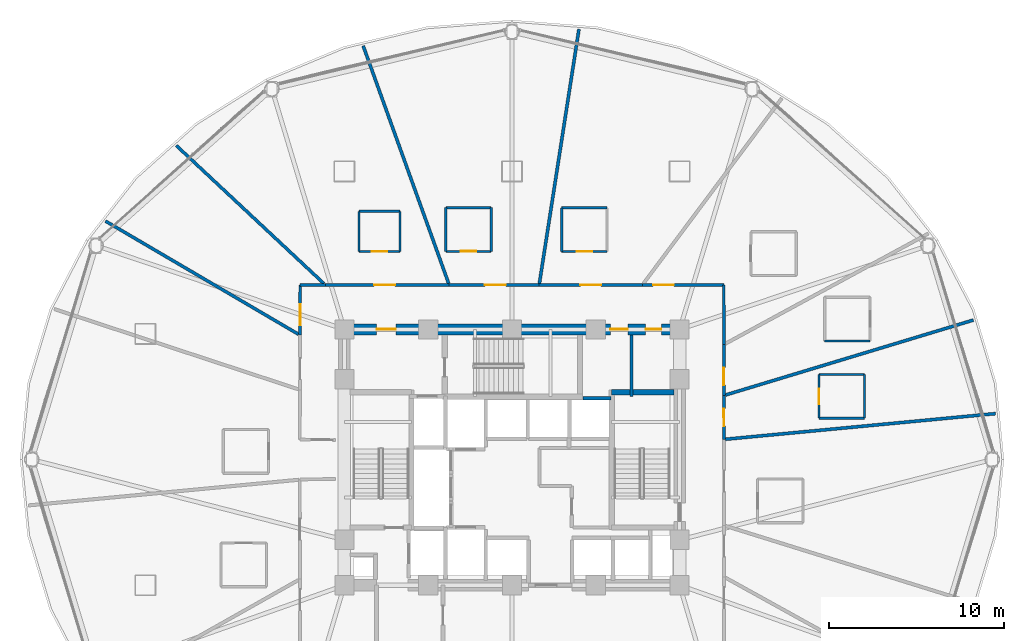
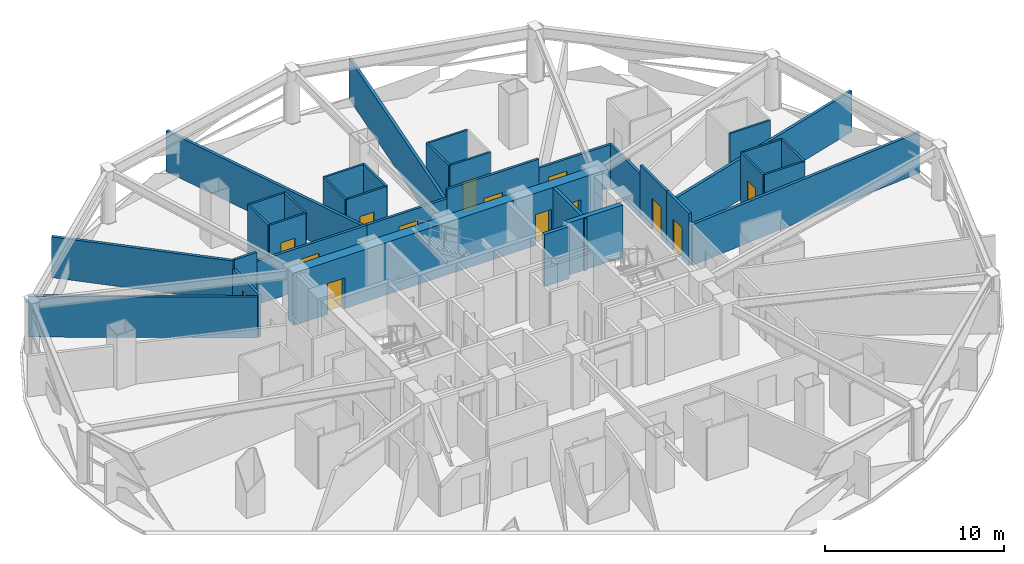
# One storey, part 24 of 30: 35 walls, 14 doors, 14 openings.
"""IFC4 building model written with IfcOpenShell, lengths in metres."""

import ifcopenshell
import ifcopenshell.guid

model = None  # the IFC model being written
_history = None  # IfcOwnerHistory: only IFC2X3 demands one
_inside = {}  # id of a spatial element -> (the spatial element, [elements in it])
_under = {}  # id of a project, library or spatial element -> (it, [spatial elements below it])
_declared = {}  # id of a project -> (the project, [libraries it declares])
_typed = {}  # id of a type object -> (the type object, [elements of that type])
_made_of = {}  # id of a material, layer set ... -> (it, [elements and type objects made of it])


def new_model(schema):
    """Start an empty IFC model of exactly this schema.

    Asked for "IFC4X3", IfcOpenShell would pick the latest addendum, in which some entities
    have other attributes; the version numbers below select the first issue.
    IFC2X3 requires an IfcOwnerHistory on every rooted entity: one is made here for all.
    """
    global model, _history
    if schema == "IFC4X3":
        model = ifcopenshell.file(schema_version=(4, 3, 0, 0))
    else:
        model = ifcopenshell.file(schema=schema)
    _inside.clear()
    _under.clear()
    _declared.clear()
    _typed.clear()
    _made_of.clear()
    _history = None
    if model.schema == "IFC2X3":
        org = make("IfcOrganization", Name="unknown")
        user = make(
            "IfcPersonAndOrganization",
            ThePerson=make("IfcPerson", FamilyName="unknown"),
            TheOrganization=org,
        )
        app = make(
            "IfcApplication",
            ApplicationDeveloper=org,
            Version="unknown",
            ApplicationFullName="unknown",
            ApplicationIdentifier="unknown",
        )
        _history = make(
            "IfcOwnerHistory",
            OwningUser=user,
            OwningApplication=app,
            ChangeAction="ADDED",
            CreationDate=0,
        )
    return model


def make(cls, **values):
    """One entity of the class cls with the attributes given. An attribute that is None is left unset."""
    return model.create_entity(
        cls, **{name: value for name, value in values.items() if value is not None}
    )


def rooted(cls, **values):
    """An entity with a GlobalId (a new one), such as an element, a storey or a relation."""
    return make(cls, GlobalId=ifcopenshell.guid.new(), OwnerHistory=_history, **values)


def si_unit(unit_type, name, prefix=None):
    """IfcSIUnit, for example si_unit("LENGTHUNIT", "METRE", prefix="MILLI")."""
    return make("IfcSIUnit", UnitType=unit_type, Prefix=prefix, Name=name)


def assignment(units):
    """IfcUnitAssignment: the units of a project."""
    return None if units is None else make("IfcUnitAssignment", Units=units)


def point(xyz):
    """IfcCartesianPoint."""
    return None if xyz is None else make("IfcCartesianPoint", Coordinates=xyz)


def direction(xyz):
    """IfcDirection."""
    return None if xyz is None else make("IfcDirection", DirectionRatios=xyz)


def frame(location, z_axis=None, x_axis=None):
    """IfcAxis2Placement3D, a coordinate frame: its origin and axes. An axis left out is left unset."""
    return make(
        "IfcAxis2Placement3D",
        Location=point(location),
        Axis=direction(z_axis),
        RefDirection=direction(x_axis),
    )


def frame_2d(location, x_axis=None):
    """IfcAxis2Placement2D, a coordinate frame in the plane: its origin and x axis."""
    return make(
        "IfcAxis2Placement2D", Location=point(location), RefDirection=direction(x_axis)
    )


def origin():
    """The frame at (0, 0, 0) with its axes left unset."""
    return frame((0.0, 0.0, 0.0))


def place(relative_to, where):
    """IfcLocalPlacement: puts the frame where relative to a parent placement (None: the world)."""
    return make(
        "IfcLocalPlacement", PlacementRelTo=relative_to, RelativePlacement=where
    )


def context(
    kind, dimensions, precision=None, world=None, true_north=None, identifier=None
):
    """IfcGeometricRepresentationContext, for example the 3D "Model" context."""
    return make(
        "IfcGeometricRepresentationContext",
        ContextIdentifier=identifier,
        ContextType=kind,
        CoordinateSpaceDimension=dimensions,
        Precision=precision,
        WorldCoordinateSystem=world,
        TrueNorth=true_north,
    )


def subcontext(parent, identifier, kind, view, scale=None):
    """IfcGeometricRepresentationSubContext, for example "Body" below "Model"."""
    return make(
        "IfcGeometricRepresentationSubContext",
        ContextIdentifier=identifier,
        ContextType=kind,
        ParentContext=parent,
        TargetScale=scale,
        TargetView=view,
    )


def project(units=None, contexts=None):
    """IfcProject with its units and contexts."""
    return rooted(
        "IfcProject",
        Name="project",
        RepresentationContexts=contexts,
        UnitsInContext=assignment(units),
    )


def spatial(cls, under=None, at=None, **own):
    """A site, building, storey or space (cls), placed at a placement, below another one or the project."""
    s = rooted(cls, ObjectPlacement=at, **own)
    if under is not None:
        _under.setdefault(under.id(), (under, []))[1].append(s)
    return s


def profile(cls, at=None, kind="AREA", **sizes):
    """A parametric profile (cls). Its sizes go by their IFC names, for example OverallWidth=200.0."""
    return make(cls, ProfileType=kind, Position=at, **sizes)


def rectangle(**sizes):
    """IfcRectangleProfileDef."""
    return profile("IfcRectangleProfileDef", **sizes)


def extrude(swept, where, along, depth):
    """IfcExtrudedAreaSolid: the profile swept, set in the frame where, extruded along a direction by depth."""
    return make(
        "IfcExtrudedAreaSolid",
        SweptArea=swept,
        Position=where,
        ExtrudedDirection=direction(along),
        Depth=depth,
    )


def shape(context_of_items, identifier, shape_type, items):
    """IfcShapeRepresentation: the items that make up one representation, for example the "Body"."""
    return make(
        "IfcShapeRepresentation",
        ContextOfItems=context_of_items,
        RepresentationIdentifier=identifier,
        RepresentationType=shape_type,
        Items=items,
    )


def material(Name=None, Category=None):
    """IfcMaterial."""
    return make("IfcMaterial", Name=Name, Category=Category)


def layer(
    of_material, thickness, ventilated=None, Name=None, Category=None, Priority=None
):
    """IfcMaterialLayer: one layer of a wall or slab, of a material (None: an air gap)."""
    return make(
        "IfcMaterialLayer",
        Material=of_material,
        LayerThickness=thickness,
        IsVentilated=ventilated,
        Name=Name,
        Category=Category,
        Priority=Priority,
    )


def layer_set(layers, Name=None):
    """IfcMaterialLayerSet."""
    return make("IfcMaterialLayerSet", MaterialLayers=layers, LayerSetName=Name)


def made_of(thing, what):
    """Note that an element or type object is made of a material, layer set ...; save() writes the relation."""
    if what is not None:
        _made_of.setdefault(what.id(), (what, []))[1].append(thing)
    return thing


def type_object(cls, material=None, **own):
    """A type object (cls), such as IfcWallType, which elements share."""
    return made_of(rooted(cls, **own), material)


def element(
    cls,
    number,
    at=None,
    inside=None,
    cuts=None,
    type_object=None,
    material=None,
    context=None,
    identifier="Body",
    shape_type=None,
    held_by="IfcProductDefinitionShape",
    body=None,
    shapes=None,
    **own,
):
    """One element of the class cls, such as IfcWall. Its Tag is "e" and its number.

    at: its placement. inside: the storey or other place that contains it. cuts: it is an
    opening in that element (IfcRelVoidsElement). A single representation is given by context,
    identifier, shape_type and body (its items); several are given by shapes. held_by: the class
    of the entity that holds the representations. save() writes the other relations.
    """
    e = rooted(cls, Tag="e%d" % number, ObjectPlacement=at, **own)
    if body is not None:
        shapes = [shape(context, identifier, shape_type, body)]
    if shapes is not None:
        e.Representation = make(held_by, Representations=shapes)
    if inside is not None:
        _inside.setdefault(inside.id(), (inside, []))[1].append(e)
    if cuts is not None:
        rooted(
            "IfcRelVoidsElement", RelatingBuildingElement=cuts, RelatedOpeningElement=e
        )
    if type_object is not None:
        _typed.setdefault(type_object.id(), (type_object, []))[1].append(e)
    return made_of(e, material)


def fill(opening, filler):
    """IfcRelFillsElement: the door or window that sits in an opening."""
    return rooted(
        "IfcRelFillsElement",
        RelatingOpeningElement=opening,
        RelatedBuildingElement=filler,
    )


def aggregate(whole, parts):
    """IfcRelAggregates: a whole, such as a stair, and the parts it consists of."""
    return rooted("IfcRelAggregates", RelatingObject=whole, RelatedObjects=parts)


def save(model, path):
    """Write the relations noted so far, then the file.

    IfcRelAggregates (storeys below a building ...), IfcRelContainedInSpatialStructure (elements
    in a storey), IfcRelDefinesByType, IfcRelAssociatesMaterial and IfcRelDeclares: one each for
    every whole, place, type object, material and project.
    """
    for whole, parts in _under.values():
        aggregate(whole, parts)
    for where, things in _inside.values():
        rooted(
            "IfcRelContainedInSpatialStructure",
            RelatedElements=things,
            RelatingStructure=where,
        )
    for kind, things in _typed.values():
        rooted("IfcRelDefinesByType", RelatedObjects=things, RelatingType=kind)
    for what, things in _made_of.values():
        rooted("IfcRelAssociatesMaterial", RelatedObjects=things, RelatingMaterial=what)
    for by, libraries in _declared.values():
        rooted("IfcRelDeclares", RelatingContext=by, RelatedDefinitions=libraries)
    model.write(path)


model = new_model("IFC4")

# Units and contexts
model_context = context("Model", 3, precision=1e-05, world=origin(), true_north=direction((0.0, 1.0)))
body_context = subcontext(model_context, "Body", "Model", "MODEL_VIEW")
ifc_project = project(units=[si_unit("LENGTHUNIT", "METRE"), si_unit("AREAUNIT", "SQUARE_METRE"), si_unit("VOLUMEUNIT", "CUBIC_METRE"), si_unit("PLANEANGLEUNIT", "RADIAN"), si_unit("MASSUNIT", "GRAM", prefix="KILO")], contexts=[model_context])

# Site, building, storey
site_placement = place(None, origin())
site = spatial("IfcSite", under=ifc_project, at=site_placement, CompositionType="ELEMENT")
building_placement = place(site_placement, origin())
building = spatial("IfcBuilding", under=site, at=building_placement, Name="Vantalir Tower", CompositionType="ELEMENT")
storey_placement = place(building_placement, frame((0.0, 0.0, 83.25)))
storey = spatial("IfcBuildingStorey", under=building, at=storey_placement, Name="L20", CompositionType="ELEMENT", Elevation=83.25)

# Walls
ifc_material_1 = material(Name="Moisture-resistant en-suite partition", Category="gypsum")
ifc_layer_1 = layer(ifc_material_1, 0.125)
ifc_layer_set_1 = layer_set([ifc_layer_1], Name="Moisture-resistant en-suite partition")
wall_type_1 = type_object("IfcWallType", Name="WL-BATH-125", PredefinedType="PARTITIONING", material=ifc_layer_set_1)
for number, where, z_axis, x_axis, name in (
    (1, (49.077880859375, 27.366943359375, 0.0), (0.0, 0.0, 1.0), (1.0, 0.0, 0.0), "L20 En-suite 01 South Wall"),
    (2, (49.077880859375, 29.866943359375, 0.0), (0.0, 0.0, 1.0), (1.0, 0.0, 0.0), "L20 En-suite 01 North Wall"),
):
    element("IfcWall", number, at=place(storey_placement, frame(where, z_axis=z_axis, x_axis=x_axis)), inside=storey, type_object=wall_type_1, Name=name, PredefinedType="PARTITIONING", context=body_context, shape_type="SweptSolid", body=[
        extrude(rectangle(XDim=2.60009765625, YDim=0.125, at=frame_2d((1.300048828125, 0.0))), origin(), (0.0, 0.0, 1.0), 3.550048828125),
    ])

# Wall, opening, door
wall_1_placement = place(storey_placement, frame((49.077880859375, 27.366943359375, 0.0), z_axis=(0.0, 0.0, 1.0), x_axis=(0.0, 1.0, 0.0)))
wall_1 = element("IfcWall", 3, at=wall_1_placement, inside=storey, type_object=wall_type_1, Name="L20 En-suite 01 West Wall", PredefinedType="PARTITIONING", context=body_context, shape_type="SweptSolid", body=[
    extrude(rectangle(XDim=2.5, YDim=0.125, at=frame_2d((1.25, 0.0))), origin(), (0.0, 0.0, 1.0), 3.550048828125),
])
opening_1_placement = place(wall_1_placement, frame((0.800048828125, 0.0, 0.0)))
opening_1 = element("IfcOpeningElement", 4, at=opening_1_placement, cuts=wall_1, Name="Opening D-WC", PredefinedType="OPENING", context=body_context, shape_type="SweptSolid", body=[
    extrude(rectangle(XDim=0.89990234375, YDim=2.10009765625, at=frame_2d((0.449951171875, 1.050048828125))), frame((0.0, 0.072509765625, 0.0), z_axis=(0.0, -1.0, 0.0), x_axis=(1.0, 0.0, 0.0)), (0.0, 0.0, 1.0), 0.14501953125),
])
ifc_material_2 = material(Name="Moisture-resistant hardwood door", Category="wood")
door_type_1 = type_object("IfcDoorType", Name="DR-ENSUITE-900", OperationType="NOTDEFINED", PredefinedType="DOOR", material=ifc_material_2)
door_1_placement = place(opening_1_placement, frame((0.89990234375, 0.0, 0.0), z_axis=(0.0, 0.0, 1.0), x_axis=(-1.0, 0.0, 0.0)))
door_1 = element("IfcDoor", 5, at=door_1_placement, inside=storey, type_object=door_type_1, Name="L20 En-suite 01 Door", OperationType="SINGLE_SWING_RIGHT", OverallHeight=2.10009765625, OverallWidth=0.89990234375, PredefinedType="DOOR", context=body_context, shape_type="SweptSolid", body=[
    extrude(rectangle(XDim=0.89990234375, YDim=2.10009765625, at=frame_2d((0.449951171875, 1.050048828125))), frame((0.0, 0.02490234375, 0.0), z_axis=(0.0, -1.0, 0.0), x_axis=(1.0, 0.0, 0.0)), (0.0, 0.0, 1.0), 0.050048828125),
])
fill(opening_1, door_1)

# Walls
wall_2_placement = place(storey_placement, frame((51.677978515625, 27.366943359375, 0.0), z_axis=(0.0, 0.0, 1.0), x_axis=(0.0, 1.0, 0.0)))
element("IfcWall", 6, at=wall_2_placement, inside=storey, type_object=wall_type_1, Name="L20 En-suite 01 East Wall", PredefinedType="PARTITIONING", context=body_context, shape_type="SweptSolid", body=[
    extrude(rectangle(XDim=2.5, YDim=0.125, at=frame_2d((1.25, 0.0))), origin(), (0.0, 0.0, 1.0), 3.550048828125),
])
wall_3_placement = place(storey_placement, frame((49.408935546875, 31.794921875, 0.0), z_axis=(0.0, 0.0, 1.0), x_axis=(1.0, 0.0, 0.0)))
element("IfcWall", 7, at=wall_3_placement, inside=storey, type_object=wall_type_1, Name="L20 En-suite 02 South Wall", PredefinedType="PARTITIONING", context=body_context, shape_type="SweptSolid", body=[
    extrude(rectangle(XDim=2.60009765625, YDim=0.125, at=frame_2d((1.300048828125, 0.0))), origin(), (0.0, 0.0, 1.0), 3.550048828125),
])

# Wall, opening, door
wall_4_placement = place(storey_placement, frame((34.34912109375, 36.9130859375, 0.0), z_axis=(0.0, 0.0, 1.0), x_axis=(1.0, 0.0, 0.0)))
wall_4 = element("IfcWall", 8, at=wall_4_placement, inside=storey, type_object=wall_type_1, Name="L20 En-suite 04 South Wall", PredefinedType="PARTITIONING", context=body_context, shape_type="SweptSolid", body=[
    extrude(rectangle(XDim=2.599853515625, YDim=0.125, at=frame_2d((1.2998046875, 0.0))), origin(), (0.0, 0.0, 1.0), 3.550048828125),
])
opening_2_placement = place(wall_4_placement, frame((0.85009765625, 0.0, 0.0)))
opening_2 = element("IfcOpeningElement", 9, at=opening_2_placement, cuts=wall_4, Name="Opening D-WC", PredefinedType="OPENING", context=body_context, shape_type="SweptSolid", body=[
    extrude(rectangle(XDim=0.89990234375, YDim=2.10009765625, at=frame_2d((0.449951171875, 1.050048828125))), frame((0.0, 0.072509765625, 0.0), z_axis=(0.0, -1.0, 0.0), x_axis=(1.0, 0.0, 0.0)), (0.0, 0.0, 1.0), 0.14501953125),
])
door_2_placement = place(opening_2_placement, origin())
door_2 = element("IfcDoor", 10, at=door_2_placement, inside=storey, type_object=door_type_1, Name="L20 En-suite 04 Door", OperationType="SINGLE_SWING_LEFT", OverallHeight=2.10009765625, OverallWidth=0.89990234375, PredefinedType="DOOR", context=body_context, shape_type="SweptSolid", body=[
    extrude(rectangle(XDim=0.89990234375, YDim=2.10009765625, at=frame_2d((0.449951171875, 1.050048828125))), frame((0.0, 0.02490234375, 0.0), z_axis=(0.0, -1.0, 0.0), x_axis=(1.0, 0.0, 0.0)), (0.0, 0.0, 1.0), 0.050048828125),
])
fill(opening_2, door_2)

# Walls
wall_5_placement = place(storey_placement, frame((34.34912109375, 39.4130859375, 0.0), z_axis=(0.0, 0.0, 1.0), x_axis=(1.0, 0.0, 0.0)))
element("IfcWall", 11, at=wall_5_placement, inside=storey, type_object=wall_type_1, Name="L20 En-suite 04 North Wall", PredefinedType="PARTITIONING", context=body_context, shape_type="SweptSolid", body=[
    extrude(rectangle(XDim=2.599853515625, YDim=0.125, at=frame_2d((1.2998046875, 0.0))), origin(), (0.0, 0.0, 1.0), 3.550048828125),
])
wall_6_placement = place(storey_placement, frame((34.34912109375, 36.9130859375, 0.0), z_axis=(0.0, 0.0, 1.0), x_axis=(0.0, 1.0, 0.0)))
element("IfcWall", 12, at=wall_6_placement, inside=storey, type_object=wall_type_1, Name="L20 En-suite 04 West Wall", PredefinedType="PARTITIONING", context=body_context, shape_type="SweptSolid", body=[
    extrude(rectangle(XDim=2.5, YDim=0.125, at=frame_2d((1.25, 0.0))), origin(), (0.0, 0.0, 1.0), 3.550048828125),
])

# Wall, opening, door
wall_7_placement = place(storey_placement, frame((27.708984375, 36.919921875, 0.0), z_axis=(0.0, 0.0, 1.0), x_axis=(1.0, 0.0, 0.0)))
wall_7 = element("IfcWall", 13, at=wall_7_placement, inside=storey, type_object=wall_type_1, Name="L20 En-suite 05 South Wall", PredefinedType="PARTITIONING", context=body_context, shape_type="SweptSolid", body=[
    extrude(rectangle(XDim=2.60009765625, YDim=0.125, at=frame_2d((1.300048828125, 0.0))), origin(), (0.0, 0.0, 1.0), 3.550048828125),
])
opening_3_placement = place(wall_7_placement, frame((0.85009765625, 0.0, 0.0)))
opening_3 = element("IfcOpeningElement", 14, at=opening_3_placement, cuts=wall_7, Name="Opening D-WC", PredefinedType="OPENING", context=body_context, shape_type="SweptSolid", body=[
    extrude(rectangle(XDim=0.89990234375, YDim=2.10009765625, at=frame_2d((0.449951171875, 1.050048828125))), frame((0.0, 0.072509765625, 0.0), z_axis=(0.0, -1.0, 0.0), x_axis=(1.0, 0.0, 0.0)), (0.0, 0.0, 1.0), 0.14501953125),
])
door_3_placement = place(opening_3_placement, origin())
door_3 = element("IfcDoor", 15, at=door_3_placement, inside=storey, type_object=door_type_1, Name="L20 En-suite 05 Door", OperationType="SINGLE_SWING_RIGHT", OverallHeight=2.10009765625, OverallWidth=0.89990234375, PredefinedType="DOOR", context=body_context, shape_type="SweptSolid", body=[
    extrude(rectangle(XDim=0.89990234375, YDim=2.10009765625, at=frame_2d((0.449951171875, 1.050048828125))), frame((0.0, 0.02490234375, 0.0), z_axis=(0.0, -1.0, 0.0), x_axis=(1.0, 0.0, 0.0)), (0.0, 0.0, 1.0), 0.050048828125),
])
fill(opening_3, door_3)

# Walls
wall_8_placement = place(storey_placement, frame((27.708984375, 39.419921875, 0.0), z_axis=(0.0, 0.0, 1.0), x_axis=(1.0, 0.0, 0.0)))
element("IfcWall", 16, at=wall_8_placement, inside=storey, type_object=wall_type_1, Name="L20 En-suite 05 North Wall", PredefinedType="PARTITIONING", context=body_context, shape_type="SweptSolid", body=[
    extrude(rectangle(XDim=2.60009765625, YDim=0.125, at=frame_2d((1.300048828125, 0.0))), origin(), (0.0, 0.0, 1.0), 3.550048828125),
])
for number, where, z_axis, x_axis, name in (
    (17, (27.708984375, 36.919921875, 0.0), (0.0, 0.0, 1.0), (0.0, 1.0, 0.0), "L20 En-suite 05 West Wall"),
    (18, (30.30908203125, 36.919921875, 0.0), (0.0, 0.0, 1.0), (0.0, 1.0, 0.0), "L20 En-suite 05 East Wall"),
):
    element("IfcWall", number, at=place(storey_placement, frame(where, z_axis=z_axis, x_axis=x_axis)), inside=storey, type_object=wall_type_1, Name=name, PredefinedType="PARTITIONING", context=body_context, shape_type="SweptSolid", body=[
        extrude(rectangle(XDim=2.5, YDim=0.125, at=frame_2d((1.25, 0.0))), origin(), (0.0, 0.0, 1.0), 3.550048828125),
    ])

# Wall, opening, door
wall_9_placement = place(storey_placement, frame((22.742919921875, 36.9130859375, 0.0), z_axis=(0.0, 0.0, 1.0), x_axis=(1.0, 0.0, 0.0)))
wall_9 = element("IfcWall", 19, at=wall_9_placement, inside=storey, type_object=wall_type_1, Name="L20 En-suite 06 South Wall", PredefinedType="PARTITIONING", context=body_context, shape_type="SweptSolid", body=[
    extrude(rectangle(XDim=2.35009765625, YDim=0.125, at=frame_2d((1.175048828125, 0.0))), origin(), (0.0, 0.0, 1.0), 3.550048828125),
])
opening_4_placement = place(wall_9_placement, frame((0.72509765625, 0.0, 0.0)))
opening_4 = element("IfcOpeningElement", 20, at=opening_4_placement, cuts=wall_9, Name="Opening D-WC", PredefinedType="OPENING", context=body_context, shape_type="SweptSolid", body=[
    extrude(rectangle(XDim=0.89990234375, YDim=2.10009765625, at=frame_2d((0.449951171875, 1.050048828125))), frame((0.0, 0.072509765625, 0.0), z_axis=(0.0, -1.0, 0.0), x_axis=(1.0, 0.0, 0.0)), (0.0, 0.0, 1.0), 0.14501953125),
])
door_4_placement = place(opening_4_placement, origin())
door_4 = element("IfcDoor", 21, at=door_4_placement, inside=storey, type_object=door_type_1, Name="L20 En-suite 06 Door", OperationType="SINGLE_SWING_LEFT", OverallHeight=2.10009765625, OverallWidth=0.89990234375, PredefinedType="DOOR", context=body_context, shape_type="SweptSolid", body=[
    extrude(rectangle(XDim=0.89990234375, YDim=2.10009765625, at=frame_2d((0.449951171875, 1.050048828125))), frame((0.0, 0.02490234375, 0.0), z_axis=(0.0, -1.0, 0.0), x_axis=(1.0, 0.0, 0.0)), (0.0, 0.0, 1.0), 0.050048828125),
])
fill(opening_4, door_4)

# Walls
wall_10_placement = place(storey_placement, frame((22.742919921875, 39.212890625, 0.0), z_axis=(0.0, 0.0, 1.0), x_axis=(1.0, 0.0, 0.0)))
element("IfcWall", 22, at=wall_10_placement, inside=storey, type_object=wall_type_1, Name="L20 En-suite 06 North Wall", PredefinedType="PARTITIONING", context=body_context, shape_type="SweptSolid", body=[
    extrude(rectangle(XDim=2.35009765625, YDim=0.125, at=frame_2d((1.175048828125, 0.0))), origin(), (0.0, 0.0, 1.0), 3.550048828125),
])
for number, where, z_axis, x_axis, name in (
    (23, (22.742919921875, 36.9130859375, 0.0), (0.0, 0.0, 1.0), (0.0, 1.0, 0.0), "L20 En-suite 06 West Wall"),
    (24, (25.093017578125, 36.9130859375, 0.0), (0.0, 0.0, 1.0), (0.0, 1.0, 0.0), "L20 En-suite 06 East Wall"),
):
    element("IfcWall", number, at=place(storey_placement, frame(where, z_axis=z_axis, x_axis=x_axis)), inside=storey, type_object=wall_type_1, Name=name, PredefinedType="PARTITIONING", context=body_context, shape_type="SweptSolid", body=[
        extrude(rectangle(XDim=2.2998046875, YDim=0.125, at=frame_2d((1.14990234375, 0.0))), origin(), (0.0, 0.0, 1.0), 3.550048828125),
    ])

# Wall, openings, doors
ifc_material_3 = material(Name="Concrete C60/75", Category="concrete")
ifc_layer_2 = layer(ifc_material_3, 0.64990234375)
ifc_layer_set_2 = layer_set([ifc_layer_2], Name="Concrete C60/75")
wall_type_2 = type_object("IfcWallType", Name="WL-CORE-650", PredefinedType="SHEAR", material=ifc_layer_set_2)
wall_11_placement = place(storey_placement, frame((21.574951171875, 32.449951171875, 0.0), z_axis=(0.0, 0.0, 1.0), x_axis=(1.0, 0.0, 0.0)))
wall_11 = element("IfcWall", 25, at=wall_11_placement, inside=storey, type_object=wall_type_2, Name="L20 Core Shear Wall North", PredefinedType="SHEAR", context=body_context, shape_type="SweptSolid", body=[
    extrude(rectangle(XDim=19.85009765625, YDim=0.64990234375, at=frame_2d((9.925048828125, 0.0))), origin(), (0.0, 0.0, 1.0), 3.570068359375),
])
opening_5_placement = place(wall_11_placement, frame((2.175048828125, 0.0, 0.0)))
opening_5 = element("IfcOpeningElement", 26, at=opening_5_placement, cuts=wall_11, Name="Opening D-FFL", PredefinedType="OPENING", context=body_context, shape_type="SweptSolid", body=[
    extrude(rectangle(XDim=1.10009765625, YDim=2.10009765625, at=frame_2d((0.550048828125, 1.050048828125))), frame((0.0, 0.3349609375, 0.0), z_axis=(0.0, -1.0, 0.0), x_axis=(1.0, 0.0, 0.0)), (0.0, 0.0, 1.0), 0.669921875),
])
opening_6_placement = place(wall_11_placement, frame((15.56494140625, 0.0, 0.0)))
opening_6 = element("IfcOpeningElement", 27, at=opening_6_placement, cuts=wall_11, Name="Opening D-GUEST", PredefinedType="OPENING", context=body_context, shape_type="SweptSolid", body=[
    extrude(rectangle(XDim=1.0, YDim=2.10009765625, at=frame_2d((0.5, 1.050048828125))), frame((0.0, 0.3349609375, 0.0), z_axis=(0.0, -1.0, 0.0), x_axis=(1.0, 0.0, 0.0)), (0.0, 0.0, 1.0), 0.669921875),
])
opening_7_placement = place(wall_11_placement, frame((17.574951171875, 0.0, 0.0)))
opening_7 = element("IfcOpeningElement", 28, at=opening_7_placement, cuts=wall_11, Name="Opening D-CR", PredefinedType="OPENING", context=body_context, shape_type="SweptSolid", body=[
    extrude(rectangle(XDim=0.89990234375, YDim=2.10009765625, at=frame_2d((0.449951171875, 1.050048828125))), frame((0.0, 0.3349609375, 0.0), z_axis=(0.0, -1.0, 0.0), x_axis=(1.0, 0.0, 0.0)), (0.0, 0.0, 1.0), 0.669921875),
])
ifc_material_4 = material(Name="Fire-rated steel core service door", Category="steel")
door_type_2 = type_object("IfcDoorType", Name="DR-CORE-SERV-900", OperationType="NOTDEFINED", PredefinedType="DOOR", material=ifc_material_4)
door_5_placement = place(opening_7_placement, frame((0.89990234375, 0.0, 0.0), z_axis=(0.0, 0.0, 1.0), x_axis=(-1.0, 0.0, 0.0)))
door_5 = element("IfcDoor", 29, at=door_5_placement, inside=storey, type_object=door_type_2, Name="L20 Housekeeping and Linen Room Door", OperationType="SINGLE_SWING_RIGHT", OverallHeight=2.10009765625, OverallWidth=0.89990234375, PredefinedType="DOOR", context=body_context, shape_type="SweptSolid", body=[
    extrude(rectangle(XDim=0.89990234375, YDim=2.10009765625, at=frame_2d((0.449951171875, 1.050048828125))), frame((0.0, 0.02490234375, 0.0), z_axis=(0.0, -1.0, 0.0), x_axis=(1.0, 0.0, 0.0)), (0.0, 0.0, 1.0), 0.050048828125),
])
fill(opening_7, door_5)
ifc_material_5 = material(Name="Fire-rated acoustic steel door", Category="steel")
door_type_3 = type_object("IfcDoorType", Name="DR-FIRE-LOBBY-1100", OperationType="NOTDEFINED", PredefinedType="DOOR", material=ifc_material_5)
door_6_placement = place(opening_5_placement, frame((1.10009765625, 0.0, 0.0), z_axis=(0.0, 0.0, 1.0), x_axis=(-1.0, 0.0, 0.0)))
door_6 = element("IfcDoor", 30, at=door_6_placement, inside=storey, type_object=door_type_3, Name="L20 Firefighting Lobby East Access Door", OperationType="SINGLE_SWING_RIGHT", OverallHeight=2.10009765625, OverallWidth=1.10009765625, PredefinedType="DOOR", context=body_context, shape_type="SweptSolid", body=[
    extrude(rectangle(XDim=1.10009765625, YDim=2.10009765625, at=frame_2d((0.550048828125, 1.050048828125))), frame((0.0, 0.02490234375, 0.0), z_axis=(0.0, -1.0, 0.0), x_axis=(1.0, 0.0, 0.0)), (0.0, 0.0, 1.0), 0.050048828125),
])
fill(opening_5, door_6)
ifc_material_6 = material(Name="Solid-core teak veneer acoustic fire door", Category="wood")
door_type_4 = type_object("IfcDoorType", Name="DR-GUEST-ENTRY-1000", OperationType="NOTDEFINED", PredefinedType="DOOR", material=ifc_material_6)
door_7_placement = place(opening_6_placement, frame((1.0, 0.0, 0.0), z_axis=(0.0, 0.0, 1.0), x_axis=(-1.0, 0.0, 0.0)))
door_7 = element("IfcDoor", 31, at=door_7_placement, inside=storey, type_object=door_type_4, Name="L20 High-Rise Lift Lobby Door", OperationType="SINGLE_SWING_LEFT", OverallHeight=2.10009765625, OverallWidth=1.0, PredefinedType="DOOR", context=body_context, shape_type="SweptSolid", body=[
    extrude(rectangle(XDim=1.0, YDim=2.10009765625, at=frame_2d((0.5, 1.050048828125))), frame((0.0, 0.02490234375, 0.0), z_axis=(0.0, -1.0, 0.0), x_axis=(1.0, 0.0, 0.0)), (0.0, 0.0, 1.0), 0.050048828125),
])
fill(opening_6, door_7)

# Wall, opening, door
ifc_material_7 = material(Name="Fire-rated hotel corridor acoustic partition", Category="gypsum")
ifc_layer_3 = layer(ifc_material_7, 0.159912109375)
ifc_layer_set_3 = layer_set([ifc_layer_3], Name="Fire-rated hotel corridor acoustic partition")
wall_type_3 = type_object("IfcWallType", Name="WL-CORR-160", PredefinedType="PARTITIONING", material=ifc_layer_set_3)
wall_12_placement = place(storey_placement, frame((19.362060546875, 32.118896484375, 0.0), z_axis=(0.0, 0.0, 1.0), x_axis=(0.002374283141, 0.999997181386, 0.0)))
wall_12 = element("IfcWall", 32, at=wall_12_placement, inside=storey, type_object=wall_type_3, Name="L20 Corridor Partition 04", PredefinedType="PARTITIONING", context=body_context, shape_type="SweptSolid", body=[
    extrude(rectangle(XDim=2.879150390625, YDim=0.159912109375, at=frame_2d((1.439453125, 0.0))), origin(), (0.0, 0.0, 1.0), 2.927978515625),
])
opening_8_placement = place(wall_12_placement, frame((0.568115234375, 0.0, 0.0)))
opening_8 = element("IfcOpeningElement", 33, at=opening_8_placement, cuts=wall_12, Name="Opening D-STE", PredefinedType="OPENING", context=body_context, shape_type="SweptSolid", body=[
    extrude(rectangle(XDim=1.199951171875, YDim=2.10009765625, at=frame_2d((0.60009765625, 1.050048828125))), frame((0.0, 0.08984375, 0.0), z_axis=(0.0, -1.0, 0.0), x_axis=(1.0, 0.0, 0.0)), (0.0, 0.0, 1.0), 0.179931640625),
])
ifc_material_8 = material(Name="Solid-core teak veneer suite entrance door", Category="wood")
door_type_5 = type_object("IfcDoorType", Name="DR-SUITE-ENTRY-1200", OperationType="NOTDEFINED", PredefinedType="DOOR", material=ifc_material_8)
door_8_placement = place(opening_8_placement, origin())
door_8 = element("IfcDoor", 34, at=door_8_placement, inside=storey, type_object=door_type_5, Name="L20 Club Reading Lounge 07 Door", OperationType="SINGLE_SWING_RIGHT", OverallHeight=2.10009765625, OverallWidth=1.199951171875, PredefinedType="DOOR", context=body_context, shape_type="SweptSolid", body=[
    extrude(rectangle(XDim=1.199951171875, YDim=2.10009765625, at=frame_2d((0.60009765625, 1.050048828125))), frame((0.0, 0.02490234375, 0.0), z_axis=(0.0, -1.0, 0.0), x_axis=(1.0, 0.0, 0.0)), (0.0, 0.0, 1.0), 0.050048828125),
])
fill(opening_8, door_8)

# Wall
wall_13_placement = place(storey_placement, frame((19.368896484375, 34.998046875, 0.0), z_axis=(0.0, 0.0, 1.0), x_axis=(1.0, 0.0, 0.0)))
element("IfcWall", 35, at=wall_13_placement, inside=storey, type_object=wall_type_3, Name="L20 Corridor Partition 05", PredefinedType="PARTITIONING", context=body_context, shape_type="SweptSolid", body=[
    extrude(rectangle(XDim=1.442138671875, YDim=0.159912109375, at=frame_2d((0.72119140625, 0.0))), origin(), (0.0, 0.0, 1.0), 3.550048828125),
])

# Wall, opening, door
wall_14_placement = place(storey_placement, frame((20.81103515625, 34.998046875, 0.0), z_axis=(0.0, 0.0, 1.0), x_axis=(1.0, 0.0, 0.0)))
wall_14 = element("IfcWall", 36, at=wall_14_placement, inside=storey, type_object=wall_type_3, Name="L20 Corridor Partition 06", PredefinedType="PARTITIONING", context=body_context, shape_type="SweptSolid", body=[
    extrude(rectangle(XDim=7.092041015625, YDim=0.159912109375, at=frame_2d((3.5458984375, 0.0))), origin(), (0.0, 0.0, 1.0), 2.927978515625),
])
opening_9_placement = place(wall_14_placement, frame((2.799072265625, 0.0, 0.0)))
opening_9 = element("IfcOpeningElement", 37, at=opening_9_placement, cuts=wall_14, Name="Opening D-STE", PredefinedType="OPENING", context=body_context, shape_type="SweptSolid", body=[
    extrude(rectangle(XDim=1.199951171875, YDim=2.10009765625, at=frame_2d((0.60009765625, 1.050048828125))), frame((0.0, 0.08984375, 0.0), z_axis=(0.0, -1.0, 0.0), x_axis=(1.0, 0.0, 0.0)), (0.0, 0.0, 1.0), 0.179931640625),
])
door_9_placement = place(opening_9_placement, origin())
door_9 = element("IfcDoor", 38, at=door_9_placement, inside=storey, type_object=door_type_5, Name="L20 Corner Panorama Hotel Suite 06 Door", OperationType="SINGLE_SWING_LEFT", OverallHeight=2.10009765625, OverallWidth=1.199951171875, PredefinedType="DOOR", context=body_context, shape_type="SweptSolid", body=[
    extrude(rectangle(XDim=1.199951171875, YDim=2.10009765625, at=frame_2d((0.60009765625, 1.050048828125))), frame((0.0, 0.02490234375, 0.0), z_axis=(0.0, -1.0, 0.0), x_axis=(1.0, 0.0, 0.0)), (0.0, 0.0, 1.0), 0.050048828125),
])
fill(opening_9, door_9)

wall_15_placement = place(storey_placement, frame((27.903076171875, 34.998046875, 0.0), z_axis=(0.0, 0.0, 1.0), x_axis=(1.0, 0.0, 0.0)))
wall_15 = element("IfcWall", 39, at=wall_15_placement, inside=storey, type_object=wall_type_3, Name="L20 Corridor Partition 07", PredefinedType="PARTITIONING", context=body_context, shape_type="SweptSolid", body=[
    extrude(rectangle(XDim=5.15283203125, YDim=0.159912109375, at=frame_2d((2.576416015625, 0.0))), origin(), (0.0, 0.0, 1.0), 2.927978515625),
])
opening_10_placement = place(wall_15_placement, frame((2.049072265625, 0.0, 0.0)))
opening_10 = element("IfcOpeningElement", 40, at=opening_10_placement, cuts=wall_15, Name="Opening D-STE", PredefinedType="OPENING", context=body_context, shape_type="SweptSolid", body=[
    extrude(rectangle(XDim=1.199951171875, YDim=2.10009765625, at=frame_2d((0.60009765625, 1.050048828125))), frame((0.0, 0.08984375, 0.0), z_axis=(0.0, -1.0, 0.0), x_axis=(1.0, 0.0, 0.0)), (0.0, 0.0, 1.0), 0.179931640625),
])
door_10_placement = place(opening_10_placement, origin())
door_10 = element("IfcDoor", 41, at=door_10_placement, inside=storey, type_object=door_type_5, Name="L20 Executive Club Hotel Suite 05 Door", OperationType="SINGLE_SWING_RIGHT", OverallHeight=2.10009765625, OverallWidth=1.199951171875, PredefinedType="DOOR", context=body_context, shape_type="SweptSolid", body=[
    extrude(rectangle(XDim=1.199951171875, YDim=2.10009765625, at=frame_2d((0.60009765625, 1.050048828125))), frame((0.0, 0.02490234375, 0.0), z_axis=(0.0, -1.0, 0.0), x_axis=(1.0, 0.0, 0.0)), (0.0, 0.0, 1.0), 0.050048828125),
])
fill(opening_10, door_10)

wall_16_placement = place(storey_placement, frame((33.055908203125, 34.998046875, 0.0), z_axis=(0.0, 0.0, 1.0), x_axis=(1.0, 0.0, 0.0)))
wall_16 = element("IfcWall", 42, at=wall_16_placement, inside=storey, type_object=wall_type_3, Name="L20 Corridor Partition 08", PredefinedType="PARTITIONING", context=body_context, shape_type="SweptSolid", body=[
    extrude(rectangle(XDim=5.91015625, YDim=0.159912109375, at=frame_2d((2.955078125, 0.0))), origin(), (0.0, 0.0, 1.0), 3.550048828125),
])
opening_11_placement = place(wall_16_placement, frame((2.35498046875, 0.0, 0.0)))
opening_11 = element("IfcOpeningElement", 43, at=opening_11_placement, cuts=wall_16, Name="Opening D-STE", PredefinedType="OPENING", context=body_context, shape_type="SweptSolid", body=[
    extrude(rectangle(XDim=1.199951171875, YDim=2.10009765625, at=frame_2d((0.60009765625, 1.050048828125))), frame((0.0, 0.08984375, 0.0), z_axis=(0.0, -1.0, 0.0), x_axis=(1.0, 0.0, 0.0)), (0.0, 0.0, 1.0), 0.179931640625),
])
door_11_placement = place(opening_11_placement, origin())
door_11 = element("IfcDoor", 44, at=door_11_placement, inside=storey, type_object=door_type_5, Name="L20 Corner Panorama Hotel Suite 04 Door", OperationType="SINGLE_SWING_LEFT", OverallHeight=2.10009765625, OverallWidth=1.199951171875, PredefinedType="DOOR", context=body_context, shape_type="SweptSolid", body=[
    extrude(rectangle(XDim=1.199951171875, YDim=2.10009765625, at=frame_2d((0.60009765625, 1.050048828125))), frame((0.0, 0.02490234375, 0.0), z_axis=(0.0, -1.0, 0.0), x_axis=(1.0, 0.0, 0.0)), (0.0, 0.0, 1.0), 0.050048828125),
])
fill(opening_11, door_11)

wall_17_placement = place(storey_placement, frame((38.966064453125, 34.998046875, 0.0), z_axis=(0.0, 0.0, 1.0), x_axis=(1.0, 0.0, 0.0)))
wall_17 = element("IfcWall", 45, at=wall_17_placement, inside=storey, type_object=wall_type_3, Name="L20 Corridor Partition 09", PredefinedType="PARTITIONING", context=body_context, shape_type="SweptSolid", body=[
    extrude(rectangle(XDim=4.6650390625, YDim=0.159912109375, at=frame_2d((2.33251953125, 0.0))), origin(), (0.0, 0.0, 1.0), 2.927978515625),
])
opening_12_placement = place(wall_17_placement, frame((0.60888671875, 0.0, 0.0)))
opening_12 = element("IfcOpeningElement", 46, at=opening_12_placement, cuts=wall_17, Name="Opening D-STE", PredefinedType="OPENING", context=body_context, shape_type="SweptSolid", body=[
    extrude(rectangle(XDim=1.199951171875, YDim=2.10009765625, at=frame_2d((0.60009765625, 1.050048828125))), frame((0.0, 0.08984375, 0.0), z_axis=(0.0, -1.0, 0.0), x_axis=(1.0, 0.0, 0.0)), (0.0, 0.0, 1.0), 0.179931640625),
])
door_12_placement = place(opening_12_placement, origin())
door_12 = element("IfcDoor", 47, at=door_12_placement, inside=storey, type_object=door_type_5, Name="L20 Executive Club Hotel Suite 03 Door", OperationType="SINGLE_SWING_RIGHT", OverallHeight=2.10009765625, OverallWidth=1.199951171875, PredefinedType="DOOR", context=body_context, shape_type="SweptSolid", body=[
    extrude(rectangle(XDim=1.199951171875, YDim=2.10009765625, at=frame_2d((0.60009765625, 1.050048828125))), frame((0.0, 0.02490234375, 0.0), z_axis=(0.0, -1.0, 0.0), x_axis=(1.0, 0.0, 0.0)), (0.0, 0.0, 1.0), 0.050048828125),
])
fill(opening_12, door_12)

# Wall
wall_18_placement = place(storey_placement, frame((43.631103515625, 34.998046875, 0.0), z_axis=(0.0, 0.0, 1.0), x_axis=(0.000858368782, -0.999999631601, 0.0)))
element("IfcWall", 48, at=wall_18_placement, inside=storey, type_object=wall_type_3, Name="L20 Corridor Partition 10", PredefinedType="PARTITIONING", context=body_context, shape_type="SweptSolid", body=[
    extrude(rectangle(XDim=3.4130859375, YDim=0.159912109375, at=frame_2d((1.70654296875, 0.0))), origin(), (0.0, 0.0, 1.0), 2.927978515625),
])

# Wall, opening, door
wall_19_placement = place(storey_placement, frame((43.634033203125, 31.5849609375, 0.0), z_axis=(0.0, 0.0, 1.0), x_axis=(0.000669567978, -0.999999775839, 0.0)))
wall_19 = element("IfcWall", 49, at=wall_19_placement, inside=storey, type_object=wall_type_3, Name="L20 Corridor Partition 11", PredefinedType="PARTITIONING", context=body_context, shape_type="SweptSolid", body=[
    extrude(rectangle(XDim=2.9169921875, YDim=0.159912109375, at=frame_2d((1.45849609375, 0.0))), origin(), (0.0, 0.0, 1.0), 3.550048828125),
])
opening_13_placement = place(wall_19_placement, frame((1.321044921875, 0.0, 0.0)))
opening_13 = element("IfcOpeningElement", 50, at=opening_13_placement, cuts=wall_19, Name="Opening D-GUEST", PredefinedType="OPENING", context=body_context, shape_type="SweptSolid", body=[
    extrude(rectangle(XDim=1.0, YDim=2.10009765625, at=frame_2d((0.5, 1.050048828125))), frame((0.0, 0.08984375, 0.0), z_axis=(0.0, -1.0, 0.0), x_axis=(1.0, 0.0, 0.0)), (0.0, 0.0, 1.0), 0.179931640625),
])
door_13_placement = place(opening_13_placement, origin())
door_13 = element("IfcDoor", 51, at=door_13_placement, inside=storey, type_object=door_type_4, Name="L20 Deluxe King Hotel Room 02 Door", OperationType="SINGLE_SWING_LEFT", OverallHeight=2.10009765625, OverallWidth=1.0, PredefinedType="DOOR", context=body_context, shape_type="SweptSolid", body=[
    extrude(rectangle(XDim=1.0, YDim=2.10009765625, at=frame_2d((0.5, 1.050048828125))), frame((0.0, 0.02490234375, 0.0), z_axis=(0.0, -1.0, 0.0), x_axis=(1.0, 0.0, 0.0)), (0.0, 0.0, 1.0), 0.050048828125),
])
fill(opening_13, door_13)

wall_20_placement = place(storey_placement, frame((43.635986328125, 28.66796875, 0.0), z_axis=(0.0, 0.0, 1.0), x_axis=(0.00077632194, -0.999999698662, 0.0)))
wall_20 = element("IfcWall", 52, at=wall_20_placement, inside=storey, type_object=wall_type_3, Name="L20 Corridor Partition 12", PredefinedType="PARTITIONING", context=body_context, shape_type="SweptSolid", body=[
    extrude(rectangle(XDim=2.515869140625, YDim=0.159912109375, at=frame_2d((1.2578125, 0.0))), origin(), (0.0, 0.0, 1.0), 3.550048828125),
])
opening_14_placement = place(wall_20_placement, frame((0.758056640625, 0.0, 0.0)))
opening_14 = element("IfcOpeningElement", 53, at=opening_14_placement, cuts=wall_20, Name="Opening D-GUEST", PredefinedType="OPENING", context=body_context, shape_type="SweptSolid", body=[
    extrude(rectangle(XDim=1.0, YDim=2.10009765625, at=frame_2d((0.5, 1.050048828125))), frame((0.0, 0.08984375, 0.0), z_axis=(0.0, -1.0, 0.0), x_axis=(1.0, 0.0, 0.0)), (0.0, 0.0, 1.0), 0.179931640625),
])
door_14_placement = place(opening_14_placement, origin())
door_14 = element("IfcDoor", 54, at=door_14_placement, inside=storey, type_object=door_type_4, Name="L20 Twin Queen Hotel Room 01 Door", OperationType="SINGLE_SWING_RIGHT", OverallHeight=2.10009765625, OverallWidth=1.0, PredefinedType="DOOR", context=body_context, shape_type="SweptSolid", body=[
    extrude(rectangle(XDim=1.0, YDim=2.10009765625, at=frame_2d((0.5, 1.050048828125))), frame((0.0, 0.02490234375, 0.0), z_axis=(0.0, -1.0, 0.0), x_axis=(1.0, 0.0, 0.0)), (0.0, 0.0, 1.0), 0.050048828125),
])
fill(opening_14, door_14)

# Walls
ifc_material_9 = material(Name="Concrete blockwork with fireboard lining", Category="masonry")
ifc_layer_4 = layer(ifc_material_9, 0.219970703125)
ifc_layer_set_4 = layer_set([ifc_layer_4], Name="Concrete blockwork with fireboard lining")
wall_type_4 = type_object("IfcWallType", Name="WL-FFL-220", PredefinedType="PARTITIONING", material=ifc_layer_set_4)
wall_21_placement = place(storey_placement, frame((35.56005859375, 28.510009765625, 0.0), z_axis=(0.0, 0.0, 1.0), x_axis=(1.0, 0.0, 0.0)))
element("IfcWall", 55, at=wall_21_placement, inside=storey, type_object=wall_type_4, Name="L20 Lift PL-H3 Shaft Front Wall", PredefinedType="PARTITIONING", context=body_context, shape_type="SweptSolid", body=[
    extrude(rectangle(XDim=1.599853515625, YDim=0.219970703125, at=frame_2d((0.7998046875, 0.0))), origin(), (0.0, 0.0, 1.0), 3.550048828125),
])
ifc_material_10 = material(Name="Twin-stud acoustic fire-rated gypsum partition", Category="gypsum")
ifc_layer_5 = layer(ifc_material_10, 0.179931640625)
ifc_layer_set_5 = layer_set([ifc_layer_5], Name="Twin-stud acoustic fire-rated gypsum partition")
wall_type_5 = type_object("IfcWallType", Name="WL-GUEST-180", PredefinedType="PARTITIONING", material=ifc_layer_set_5)
wall_22_placement = place(storey_placement, frame((38.340087890625, 28.6201171875, 0.0), z_axis=(0.0, 0.0, 1.0), x_axis=(0.0, 1.0, 0.0)))
element("IfcWall", 56, at=wall_22_placement, inside=storey, type_object=wall_type_5, Name="L20 High-Rise Lift Lobby East Wall", PredefinedType="PARTITIONING", context=body_context, shape_type="SweptSolid", body=[
    extrude(rectangle(XDim=3.5048828125, YDim=0.179931640625, at=frame_2d((1.75244140625, 0.0))), origin(), (0.0, 0.0, 1.0), 3.550048828125),
])
wall_23_placement = place(storey_placement, frame((43.72802734375, 26.160888671875, 0.0), z_axis=(0.0, 0.0, 1.0), x_axis=(0.995524176843, 0.094507213062, 0.0)))
element("IfcWall", 57, at=wall_23_placement, inside=storey, type_object=wall_type_5, Name="L20 Radial Suite Partition 01", PredefinedType="PARTITIONING", context=body_context, shape_type="SweptSolid", body=[
    extrude(rectangle(XDim=15.533447265625, YDim=0.179931640625, at=frame_2d((7.7666015625, 0.0))), origin(), (0.0, 0.0, 1.0), 2.77490234375),
])
wall_24_placement = place(storey_placement, frame((43.72802734375, 28.695068359375, 0.0), z_axis=(0.0, 0.0, 1.0), x_axis=(0.957224891777, 0.289344961183, 0.0)))
element("IfcWall", 58, at=wall_24_placement, inside=storey, type_object=wall_type_5, Name="L20 Radial Suite Partition 02", PredefinedType="PARTITIONING", context=body_context, shape_type="SweptSolid", body=[
    extrude(rectangle(XDim=14.83349609375, YDim=0.179931640625, at=frame_2d((7.416748046875, 0.0))), origin(), (0.0, 0.0, 1.0), 2.77490234375),
])
wall_25_placement = place(storey_placement, frame((33.068115234375, 35.077880859375, 0.0), z_axis=(0.0, 0.0, 1.0), x_axis=(0.153752995268, 0.988109314016, 0.0)))
element("IfcWall", 59, at=wall_25_placement, inside=storey, type_object=wall_type_5, Name="L20 Radial Suite Partition 05", PredefinedType="PARTITIONING", context=body_context, shape_type="SweptSolid", body=[
    extrude(rectangle(XDim=14.743408203125, YDim=0.179931640625, at=frame_2d((7.37158203125, 0.0))), origin(), (0.0, 0.0, 1.0), 2.77490234375),
])
wall_26_placement = place(storey_placement, frame((27.875, 35.077880859375, 0.0), z_axis=(0.0, 0.0, 1.0), x_axis=(-0.338534786173, 0.940953876952, 0.0)))
element("IfcWall", 60, at=wall_26_placement, inside=storey, type_object=wall_type_5, Name="L20 Radial Suite Partition 06", PredefinedType="PARTITIONING", context=body_context, shape_type="SweptSolid", body=[
    extrude(rectangle(XDim=14.465087890625, YDim=0.179931640625, at=frame_2d((7.232421875, 0.0))), origin(), (0.0, 0.0, 1.0), 2.77490234375),
])
wall_27_placement = place(storey_placement, frame((20.72607421875, 35.077880859375, 0.0), z_axis=(0.0, 0.0, 1.0), x_axis=(-0.730389203883, 0.683031193176, 0.0)))
element("IfcWall", 61, at=wall_27_placement, inside=storey, type_object=wall_type_5, Name="L20 Radial Suite Partition 07", PredefinedType="PARTITIONING", context=body_context, shape_type="SweptSolid", body=[
    extrude(rectangle(XDim=11.573486328125, YDim=0.179931640625, at=frame_2d((5.78662109375, 0.0))), origin(), (0.0, 0.0, 1.0), 2.77490234375),
])
wall_28_placement = place(storey_placement, frame((19.27197265625, 32.172119140625, 0.0), z_axis=(0.0, 0.0, 1.0), x_axis=(-0.862584123078, 0.505913659248, 0.0)))
element("IfcWall", 62, at=wall_28_placement, inside=storey, type_object=wall_type_5, Name="L20 Radial Suite Partition 08", PredefinedType="PARTITIONING", context=body_context, shape_type="SweptSolid", body=[
    extrude(rectangle(XDim=12.810302734375, YDim=0.179931640625, at=frame_2d((6.4052734375, 0.0))), origin(), (0.0, 0.0, 1.0), 2.77490234375),
])
ifc_material_11 = material(Name="Concrete C50/60", Category="concrete")
ifc_layer_6 = layer(ifc_material_11, 0.300048828125)
ifc_layer_set_6 = layer_set([ifc_layer_6], Name="Concrete C50/60")
wall_type_6 = type_object("IfcWallType", Name="WL-STAIR-300", PredefinedType="SHEAR", material=ifc_layer_set_6)
wall_29_placement = place(storey_placement, frame((37.2099609375, 28.85009765625, 0.0), z_axis=(0.0, 0.0, 1.0), x_axis=(1.0, 0.0, 0.0)))
element("IfcWall", 63, at=wall_29_placement, inside=storey, type_object=wall_type_6, Name="L20 Stair ST2 North Wall", PredefinedType="SHEAR", context=body_context, shape_type="SweptSolid", body=[
    extrude(rectangle(XDim=3.56494140625, YDim=0.300048828125, at=frame_2d((1.782470703125, 0.0))), origin(), (0.0, 0.0, 1.0), 3.570068359375),
])

save(model, "model.ifc")
